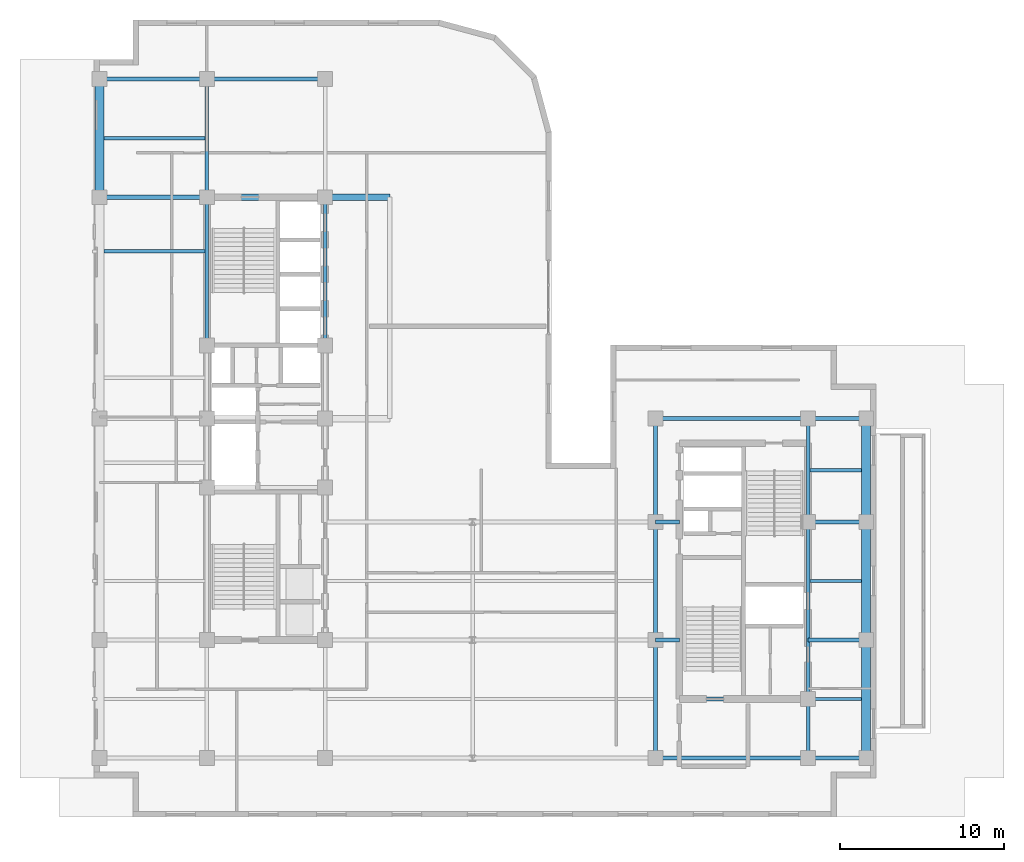
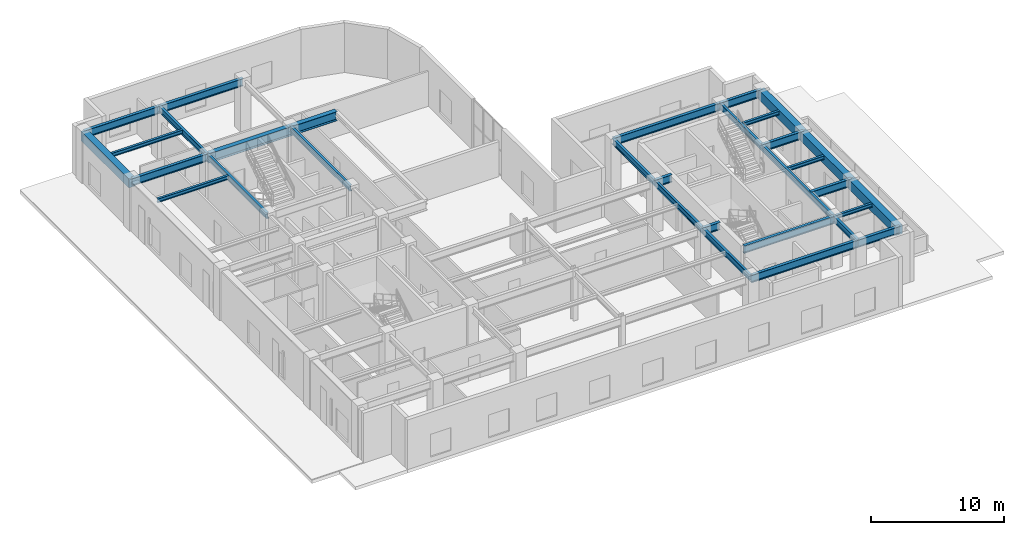
# One storey, part 4 of 16: 31 beams.
"""IFC4 building model written with IfcOpenShell, lengths in metres."""

from ifc_helpers import new_model, entity, si_unit, converted_unit, direction, frame, origin_with_axes, origin_2d_with_axis, place, context, subcontext, project, spatial, rectangle, i_section, extrude, material, material_profile, profile_set, type_object, element, save


model = new_model("IFC4")

# Units and contexts
model_context = context("Model", 3, precision=1e-05, world=origin_with_axes(), true_north=direction((0.0, 1.0)))
body_context = subcontext(model_context, "Body", "Model", "MODEL_VIEW")
ifc_project = project(units=[si_unit("LENGTHUNIT", "METRE"), si_unit("AREAUNIT", "SQUARE_METRE"), si_unit("VOLUMEUNIT", "CUBIC_METRE"), converted_unit("PLANEANGLEUNIT", "DEGREE", entity("IfcPlaneAngleMeasure", 0.017453292519943295), si_unit("PLANEANGLEUNIT", "RADIAN"), dimensions=[0, 0, 0, 0, 0, 0, 0]), si_unit("MASSUNIT", "GRAM", prefix="KILO"), si_unit("THERMODYNAMICTEMPERATUREUNIT", "KELVIN")], contexts=[model_context])

# Site, building, storey
site_placement = place(None, origin_with_axes())
site = spatial("IfcSite", under=ifc_project, at=site_placement, CompositionType="ELEMENT")
building_placement = place(site_placement, origin_with_axes())
building = spatial("IfcBuilding", under=site, at=building_placement, Name="Varnlund Millrace Tower", CompositionType="ELEMENT")
storey_placement = place(building_placement, frame((0.0, 0.0, 219.9), z_axis=(0.0, 0.0, 1.0), x_axis=(1.0, 0.0, 0.0)))
storey = spatial("IfcBuildingStorey", under=building, at=storey_placement, Name="L54", CompositionType="ELEMENT", Elevation=219.9)

# Beams
ifc_material_1 = material(Name="Steel ASTM A992 Grade 50", Category="steel")
ifc_material_profile_1 = material_profile(ifc_material_1, i_section(OverallWidth=0.214, OverallDepth=0.549, WebThickness=0.0147, FlangeThickness=0.0236, FilletRadius=0.015, at=origin_2d_with_axis()), Name="Steel ASTM A992 Grade 50")
ifc_profile_set_1 = profile_set([ifc_material_profile_1], Name="Steel ASTM A992 Grade 50")
beam_type_1 = type_object("IfcBeamType", Name="Type-Beam-W21X93", PredefinedType="BEAM", material=ifc_profile_set_1)
beam_1_placement = place(storey_placement, frame((11.4, 28.75, 4.2855), z_axis=(0.0, 1.0, 0.0), x_axis=(-1.0, 0.0, 0.0)))
element("IfcBeam", 1, at=beam_1_placement, inside=storey, type_object=beam_type_1, Name="Type-Beam-W21X93", PredefinedType="BEAM", context=body_context, shape_type="SweptSolid", body=[
    extrude(i_section(OverallWidth=0.214, OverallDepth=0.549, WebThickness=0.0147, FlangeThickness=0.0236, FilletRadius=0.015, at=origin_2d_with_axis()), origin_with_axes(), (0.0, 0.0, 1.0), 9.05),
])
beam_2_placement = place(storey_placement, frame((11.4, 37.8, 4.2855), z_axis=(0.0, 1.0, 0.0), x_axis=(-1.0, 0.0, 0.0)))
element("IfcBeam", 2, at=beam_2_placement, inside=storey, type_object=beam_type_1, Name="Type-Beam-W21X93", PredefinedType="BEAM", context=body_context, shape_type="SweptSolid", body=[
    extrude(i_section(OverallWidth=0.214, OverallDepth=0.549, WebThickness=0.0147, FlangeThickness=0.0236, FilletRadius=0.015, at=origin_2d_with_axis()), origin_with_axes(), (0.0, 0.0, 1.0), 7.2),
])
beam_3_placement = place(storey_placement, frame((18.6, 28.75, 4.2855), z_axis=(0.0, 1.0, 0.0), x_axis=(-1.0, 0.0, 0.0)))
element("IfcBeam", 3, at=beam_3_placement, inside=storey, type_object=beam_type_1, Name="Type-Beam-W21X93", PredefinedType="BEAM", context=body_context, shape_type="SweptSolid", body=[
    extrude(i_section(OverallWidth=0.214, OverallDepth=0.549, WebThickness=0.0147, FlangeThickness=0.0236, FilletRadius=0.015, at=origin_2d_with_axis()), origin_with_axes(), (0.0, 0.0, 1.0), 9.05),
])
for number, where, z_axis, x_axis, name in (
    (4, (38.75, 3.6, 4.2855), (0.0, 1.0, 0.0), (-1.0, 0.0, 0.0), "Type-Beam-W21X93"),
    (5, (38.75, 10.8, 4.2855), (0.0, 1.0, 0.0), (-1.0, 0.0, 0.0), "Type-Beam-W21X93"),
):
    element("IfcBeam", number, at=place(storey_placement, frame(where, z_axis=z_axis, x_axis=x_axis)), inside=storey, type_object=beam_type_1, Name=name, PredefinedType="BEAM", context=body_context, shape_type="SweptSolid", body=[
        extrude(i_section(OverallWidth=0.214, OverallDepth=0.549, WebThickness=0.0147, FlangeThickness=0.0236, FilletRadius=0.015, at=origin_2d_with_axis()), origin_with_axes(), (0.0, 0.0, 1.0), 7.2),
    ])
beam_4_placement = place(storey_placement, frame((38.75, 18.0, 4.2855), z_axis=(0.0, 1.0, 0.0), x_axis=(-1.0, 0.0, 0.0)))
element("IfcBeam", 6, at=beam_4_placement, inside=storey, type_object=beam_type_1, Name="Type-Beam-W21X93", PredefinedType="BEAM", context=body_context, shape_type="SweptSolid", body=[
    extrude(i_section(OverallWidth=0.214, OverallDepth=0.549, WebThickness=0.0147, FlangeThickness=0.0236, FilletRadius=0.015, at=origin_2d_with_axis()), origin_with_axes(), (0.0, 0.0, 1.0), 6.3),
])
beam_5_placement = place(storey_placement, frame((48.05, 3.6, 4.2855), z_axis=(0.0, 1.0, 0.0), x_axis=(-1.0, 0.0, 0.0)))
element("IfcBeam", 7, at=beam_5_placement, inside=storey, type_object=beam_type_1, Name="Type-Beam-W21X93", PredefinedType="BEAM", context=body_context, shape_type="SweptSolid", body=[
    extrude(i_section(OverallWidth=0.214, OverallDepth=0.549, WebThickness=0.0147, FlangeThickness=0.0236, FilletRadius=0.015, at=origin_2d_with_axis()), origin_with_axes(), (0.0, 0.0, 1.0), 3.6),
])
beam_6_placement = place(storey_placement, frame((48.05, 7.2, 4.2855), z_axis=(0.0, 1.0, 0.0), x_axis=(-1.0, 0.0, 0.0)))
element("IfcBeam", 8, at=beam_6_placement, inside=storey, type_object=beam_type_1, Name="Type-Beam-W21X93", PredefinedType="BEAM", context=body_context, shape_type="SweptSolid", body=[
    extrude(i_section(OverallWidth=0.214, OverallDepth=0.549, WebThickness=0.0147, FlangeThickness=0.0236, FilletRadius=0.015, at=origin_2d_with_axis()), origin_with_axes(), (0.0, 0.0, 1.0), 10.8),
])
beam_7_placement = place(storey_placement, frame((48.05, 18.0, 4.2855), z_axis=(0.0, 1.0, 0.0), x_axis=(-1.0, 0.0, 0.0)))
element("IfcBeam", 9, at=beam_7_placement, inside=storey, type_object=beam_type_1, Name="Type-Beam-W21X93", PredefinedType="BEAM", context=body_context, shape_type="SweptSolid", body=[
    extrude(i_section(OverallWidth=0.214, OverallDepth=0.549, WebThickness=0.0147, FlangeThickness=0.0236, FilletRadius=0.015, at=origin_2d_with_axis()), origin_with_axes(), (0.0, 0.0, 1.0), 6.3),
])
ifc_material_profile_2 = material_profile(ifc_material_1, i_section(OverallWidth=0.256, OverallDepth=0.693, WebThickness=0.0145, FlangeThickness=0.0236, FilletRadius=0.018, at=origin_2d_with_axis()), Name="Steel ASTM A992 Grade 50")
ifc_profile_set_2 = profile_set([ifc_material_profile_2], Name="Steel ASTM A992 Grade 50")
beam_type_2 = type_object("IfcBeamType", Name="Type-Girder-W27X114", PredefinedType="USERDEFINED", material=ifc_profile_set_2)
beam_8_placement = place(storey_placement, frame((38.75, 3.6, 4.2135), z_axis=(1.0, 0.0, 0.0), x_axis=(0.0, 1.0, 0.0)))
element("IfcBeam", 10, at=beam_8_placement, inside=storey, type_object=beam_type_2, Name="Type-Girder-W27X114", ObjectType="GIRDER", PredefinedType="USERDEFINED", context=body_context, shape_type="SweptSolid", body=[
    extrude(i_section(OverallWidth=0.256, OverallDepth=0.693, WebThickness=0.0145, FlangeThickness=0.0236, FilletRadius=0.018, at=origin_2d_with_axis()), origin_with_axes(), (0.0, 0.0, 1.0), 9.3),
])
beam_9_placement = place(storey_placement, frame((48.05, 3.6, 4.2135), z_axis=(1.0, 0.0, 0.0), x_axis=(0.0, 1.0, 0.0)))
element("IfcBeam", 11, at=beam_9_placement, inside=storey, type_object=beam_type_2, Name="Type-Girder-W27X114", ObjectType="GIRDER", PredefinedType="USERDEFINED", context=body_context, shape_type="SweptSolid", body=[
    extrude(i_section(OverallWidth=0.256, OverallDepth=0.693, WebThickness=0.0145, FlangeThickness=0.0236, FilletRadius=0.018, at=origin_2d_with_axis()), origin_with_axes(), (0.0, 0.0, 1.0), 3.55),
])
beam_10_placement = place(storey_placement, frame((40.2, 7.2, 4.2135), z_axis=(1.0, 0.0, 0.0), x_axis=(0.0, 1.0, 0.0)))
element("IfcBeam", 12, at=beam_10_placement, inside=storey, type_object=beam_type_2, Name="Type-Girder-W27X114", ObjectType="GIRDER", PredefinedType="USERDEFINED", context=body_context, shape_type="SweptSolid", body=[
    extrude(i_section(OverallWidth=0.256, OverallDepth=0.693, WebThickness=0.0145, FlangeThickness=0.0236, FilletRadius=0.018, at=origin_2d_with_axis()), origin_with_axes(), (0.0, 0.0, 1.0), 7.85),
])
beam_11_placement = place(storey_placement, frame((38.75, 10.8, 4.2135), z_axis=(1.0, 0.0, 0.0), x_axis=(0.0, 1.0, 0.0)))
element("IfcBeam", 13, at=beam_11_placement, inside=storey, type_object=beam_type_2, Name="Type-Girder-W27X114", ObjectType="GIRDER", PredefinedType="USERDEFINED", context=body_context, shape_type="SweptSolid", body=[
    extrude(i_section(OverallWidth=0.256, OverallDepth=0.693, WebThickness=0.0145, FlangeThickness=0.0236, FilletRadius=0.018, at=origin_2d_with_axis()), origin_with_axes(), (0.0, 0.0, 1.0), 1.45),
])
beam_12_placement = place(storey_placement, frame((48.05, 10.8, 4.2135), z_axis=(1.0, 0.0, 0.0), x_axis=(0.0, 1.0, 0.0)))
element("IfcBeam", 14, at=beam_12_placement, inside=storey, type_object=beam_type_2, Name="Type-Girder-W27X114", ObjectType="GIRDER", PredefinedType="USERDEFINED", context=body_context, shape_type="SweptSolid", body=[
    extrude(i_section(OverallWidth=0.256, OverallDepth=0.693, WebThickness=0.0145, FlangeThickness=0.0236, FilletRadius=0.018, at=origin_2d_with_axis()), origin_with_axes(), (0.0, 0.0, 1.0), 3.55),
])
beam_13_placement = place(storey_placement, frame((38.75, 18.0, 4.2135), z_axis=(1.0, 0.0, 0.0), x_axis=(0.0, 1.0, 0.0)))
element("IfcBeam", 15, at=beam_13_placement, inside=storey, type_object=beam_type_2, Name="Type-Girder-W27X114", ObjectType="GIRDER", PredefinedType="USERDEFINED", context=body_context, shape_type="SweptSolid", body=[
    extrude(i_section(OverallWidth=0.256, OverallDepth=0.693, WebThickness=0.0145, FlangeThickness=0.0236, FilletRadius=0.018, at=origin_2d_with_axis()), origin_with_axes(), (0.0, 0.0, 1.0), 1.45),
])
beam_14_placement = place(storey_placement, frame((48.05, 18.0, 4.2135), z_axis=(1.0, 0.0, 0.0), x_axis=(0.0, 1.0, 0.0)))
element("IfcBeam", 16, at=beam_14_placement, inside=storey, type_object=beam_type_2, Name="Type-Girder-W27X114", ObjectType="GIRDER", PredefinedType="USERDEFINED", context=body_context, shape_type="SweptSolid", body=[
    extrude(i_section(OverallWidth=0.256, OverallDepth=0.693, WebThickness=0.0145, FlangeThickness=0.0236, FilletRadius=0.018, at=origin_2d_with_axis()), origin_with_axes(), (0.0, 0.0, 1.0), 3.55),
])
beam_15_placement = place(storey_placement, frame((38.75, 24.3, 4.2135), z_axis=(1.0, 0.0, 0.0), x_axis=(0.0, 1.0, 0.0)))
element("IfcBeam", 17, at=beam_15_placement, inside=storey, type_object=beam_type_2, Name="Type-Girder-W27X114", ObjectType="GIRDER", PredefinedType="USERDEFINED", context=body_context, shape_type="SweptSolid", body=[
    extrude(i_section(OverallWidth=0.256, OverallDepth=0.693, WebThickness=0.0145, FlangeThickness=0.0236, FilletRadius=0.018, at=origin_2d_with_axis()), origin_with_axes(), (0.0, 0.0, 1.0), 9.3),
])
beam_16_placement = place(storey_placement, frame((48.05, 24.3, 4.2135), z_axis=(1.0, 0.0, 0.0), x_axis=(0.0, 1.0, 0.0)))
element("IfcBeam", 18, at=beam_16_placement, inside=storey, type_object=beam_type_2, Name="Type-Girder-W27X114", ObjectType="GIRDER", PredefinedType="USERDEFINED", context=body_context, shape_type="SweptSolid", body=[
    extrude(i_section(OverallWidth=0.256, OverallDepth=0.693, WebThickness=0.0145, FlangeThickness=0.0236, FilletRadius=0.018, at=origin_2d_with_axis()), origin_with_axes(), (0.0, 0.0, 1.0), 3.55),
])
for number, where, z_axis, x_axis, name in (
    (19, (4.85, 37.8, 4.2135), (1.0, 0.0, 0.0), (0.0, 1.0, 0.0), "Type-Girder-W27X114"),
    (20, (4.85, 45.0, 4.2135), (1.0, 0.0, 0.0), (0.0, 1.0, 0.0), "Type-Girder-W27X114"),
):
    element("IfcBeam", number, at=place(storey_placement, frame(where, z_axis=z_axis, x_axis=x_axis)), inside=storey, type_object=beam_type_2, Name=name, ObjectType="GIRDER", PredefinedType="USERDEFINED", context=body_context, shape_type="SweptSolid", body=[
        extrude(i_section(OverallWidth=0.256, OverallDepth=0.693, WebThickness=0.0145, FlangeThickness=0.0236, FilletRadius=0.018, at=origin_2d_with_axis()), origin_with_axes(), (0.0, 0.0, 1.0), 6.55),
    ])
beam_17_placement = place(storey_placement, frame((11.4, 45.0, 4.2135), z_axis=(1.0, 0.0, 0.0), x_axis=(0.0, 1.0, 0.0)))
element("IfcBeam", 21, at=beam_17_placement, inside=storey, type_object=beam_type_2, Name="Type-Girder-W27X114", ObjectType="GIRDER", PredefinedType="USERDEFINED", context=body_context, shape_type="SweptSolid", body=[
    extrude(i_section(OverallWidth=0.256, OverallDepth=0.693, WebThickness=0.0145, FlangeThickness=0.0236, FilletRadius=0.018, at=origin_2d_with_axis()), origin_with_axes(), (0.0, 0.0, 1.0), 7.2),
])
ifc_material_profile_3 = material_profile(ifc_material_1, i_section(OverallWidth=0.399, OverallDepth=0.855, WebThickness=0.0182, FlangeThickness=0.0292, FilletRadius=0.022, at=origin_2d_with_axis()), Name="Steel ASTM A992 Grade 50")
ifc_profile_set_3 = profile_set([ifc_material_profile_3], Name="Steel ASTM A992 Grade 50")
beam_type_3 = type_object("IfcBeamType", Name="Type-Girder-W33X201", PredefinedType="USERDEFINED", material=ifc_profile_set_3)
beam_18_placement = place(storey_placement, frame((11.4, 37.8, 4.1325), z_axis=(1.0, 0.0, 0.0), x_axis=(0.0, 1.0, 0.0)))
element("IfcBeam", 22, at=beam_18_placement, inside=storey, type_object=beam_type_3, Name="Type-Girder-W33X201", ObjectType="GIRDER", PredefinedType="USERDEFINED", context=body_context, shape_type="SweptSolid", body=[
    extrude(i_section(OverallWidth=0.399, OverallDepth=0.855, WebThickness=0.0182, FlangeThickness=0.0292, FilletRadius=0.022, at=origin_2d_with_axis()), origin_with_axes(), (0.0, 0.0, 1.0), 11.15),
])
ifc_material_profile_4 = material_profile(ifc_material_1, i_section(OverallWidth=0.204, OverallDepth=0.35, WebThickness=0.0086, FlangeThickness=0.0151, FilletRadius=0.013, at=origin_2d_with_axis()), Name="Steel ASTM A992 Grade 50")
ifc_profile_set_4 = profile_set([ifc_material_profile_4], Name="Steel ASTM A992 Grade 50")
beam_type_4 = type_object("IfcBeamType", Name="Type-Joist-W14X48", PredefinedType="JOIST", material=ifc_profile_set_4)
for number, where, z_axis, x_axis, name in (
    (23, (5.125, 34.5, 4.385), (1.0, 0.0, 0.0), (0.0, 1.0, 0.0), "Type-Joist-W14X48"),
    (24, (5.125, 41.4, 4.385), (1.0, 0.0, 0.0), (0.0, 1.0, 0.0), "Type-Joist-W14X48"),
):
    element("IfcBeam", number, at=place(storey_placement, frame(where, z_axis=z_axis, x_axis=x_axis)), inside=storey, type_object=beam_type_4, Name=name, PredefinedType="JOIST", context=body_context, shape_type="SweptSolid", body=[
        extrude(i_section(OverallWidth=0.204, OverallDepth=0.35, WebThickness=0.0086, FlangeThickness=0.0151, FilletRadius=0.013, at=origin_2d_with_axis()), origin_with_axes(), (0.0, 0.0, 1.0), 6.168),
    ])
for number, where, z_axis, x_axis, name in (
    (25, (48.157, 7.2, 4.385), (1.0, 0.0, 0.0), (0.0, 1.0, 0.0), "Type-Joist-W14X48"),
    (26, (48.157, 14.4, 4.385), (1.0, 0.0, 0.0), (0.0, 1.0, 0.0), "Type-Joist-W14X48"),
    (27, (48.157, 21.15, 4.385), (1.0, 0.0, 0.0), (0.0, 1.0, 0.0), "Type-Joist-W14X48"),
):
    element("IfcBeam", number, at=place(storey_placement, frame(where, z_axis=z_axis, x_axis=x_axis)), inside=storey, type_object=beam_type_4, Name=name, PredefinedType="JOIST", context=body_context, shape_type="SweptSolid", body=[
        extrude(i_section(OverallWidth=0.204, OverallDepth=0.35, WebThickness=0.0086, FlangeThickness=0.0151, FilletRadius=0.013, at=origin_2d_with_axis()), origin_with_axes(), (0.0, 0.0, 1.0), 3.168),
    ])
ifc_material_2 = material(Name="Concrete C60/75", Category="concrete")
ifc_material_profile_5 = material_profile(ifc_material_2, rectangle(XDim=0.55, YDim=0.85, at=origin_2d_with_axis()), Name="Concrete C60/75")
ifc_profile_set_5 = profile_set([ifc_material_profile_5], Name="Concrete C60/75")
beam_type_5 = type_object("IfcBeamType", Name="Type-Spandrel-RC550X850", PredefinedType="SPANDREL", material=ifc_profile_set_5)
for number, where, z_axis, x_axis, name in (
    (28, (4.85, 37.8, 4.135), (0.0, 1.0, 0.0), (-1.0, 0.0, 0.0), "Type-Spandrel-RC550X850"),
    (29, (51.6, 3.6, 4.135), (0.0, 1.0, 0.0), (-1.0, 0.0, 0.0), "Type-Spandrel-RC550X850"),
    (30, (51.6, 10.8, 4.135), (0.0, 1.0, 0.0), (-1.0, 0.0, 0.0), "Type-Spandrel-RC550X850"),
):
    element("IfcBeam", number, at=place(storey_placement, frame(where, z_axis=z_axis, x_axis=x_axis)), inside=storey, type_object=beam_type_5, Name=name, PredefinedType="SPANDREL", context=body_context, shape_type="SweptSolid", body=[
        extrude(rectangle(XDim=0.55, YDim=0.85, at=origin_2d_with_axis()), origin_with_axes(), (0.0, 0.0, 1.0), 7.2),
    ])
beam_19_placement = place(storey_placement, frame((51.6, 18.0, 4.135), z_axis=(0.0, 1.0, 0.0), x_axis=(-1.0, 0.0, 0.0)))
element("IfcBeam", 31, at=beam_19_placement, inside=storey, type_object=beam_type_5, Name="Type-Spandrel-RC550X850", PredefinedType="SPANDREL", context=body_context, shape_type="SweptSolid", body=[
    extrude(rectangle(XDim=0.55, YDim=0.85, at=origin_2d_with_axis()), origin_with_axes(), (0.0, 0.0, 1.0), 6.3),
])

save(model, "model.ifc")
